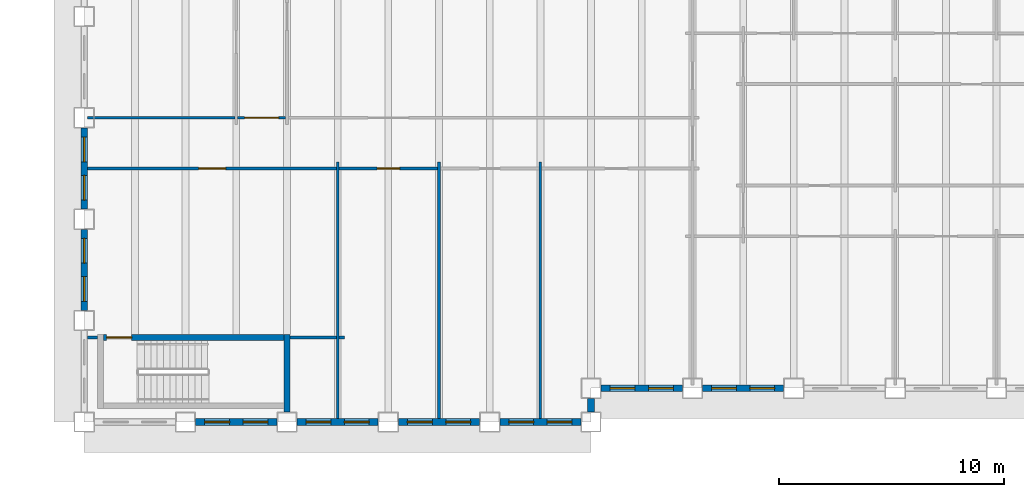
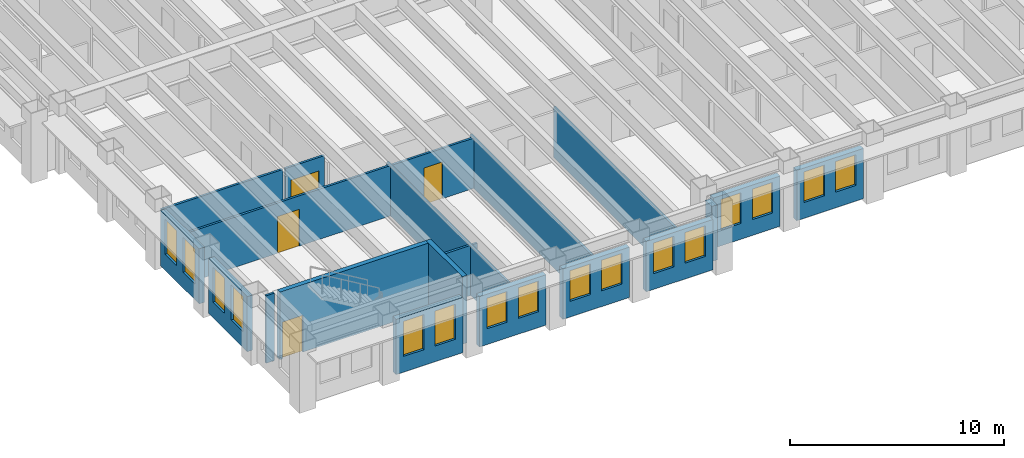
# One storey, part 3 of 16: 21 walls, 16 windows, 4 doors, 20 openings.
"""IFC4 building model written with IfcOpenShell, lengths in metres."""

import ifcopenshell
import ifcopenshell.guid

model = None  # the IFC model being written
_history = None  # IfcOwnerHistory: only IFC2X3 demands one
_inside = {}  # id of a spatial element -> (the spatial element, [elements in it])
_under = {}  # id of a project, library or spatial element -> (it, [spatial elements below it])
_declared = {}  # id of a project -> (the project, [libraries it declares])
_typed = {}  # id of a type object -> (the type object, [elements of that type])
_made_of = {}  # id of a material, layer set ... -> (it, [elements and type objects made of it])


def new_model(schema):
    """Start an empty IFC model of exactly this schema.

    Asked for "IFC4X3", IfcOpenShell would pick the latest addendum, in which some entities
    have other attributes; the version numbers below select the first issue.
    IFC2X3 requires an IfcOwnerHistory on every rooted entity: one is made here for all.
    """
    global model, _history
    if schema == "IFC4X3":
        model = ifcopenshell.file(schema_version=(4, 3, 0, 0))
    else:
        model = ifcopenshell.file(schema=schema)
    _inside.clear()
    _under.clear()
    _declared.clear()
    _typed.clear()
    _made_of.clear()
    _history = None
    if model.schema == "IFC2X3":
        org = make("IfcOrganization", Name="unknown")
        user = make(
            "IfcPersonAndOrganization",
            ThePerson=make("IfcPerson", FamilyName="unknown"),
            TheOrganization=org,
        )
        app = make(
            "IfcApplication",
            ApplicationDeveloper=org,
            Version="unknown",
            ApplicationFullName="unknown",
            ApplicationIdentifier="unknown",
        )
        _history = make(
            "IfcOwnerHistory",
            OwningUser=user,
            OwningApplication=app,
            ChangeAction="ADDED",
            CreationDate=0,
        )
    return model


def make(cls, **values):
    """One entity of the class cls with the attributes given. An attribute that is None is left unset."""
    return model.create_entity(
        cls, **{name: value for name, value in values.items() if value is not None}
    )


def rooted(cls, **values):
    """An entity with a GlobalId (a new one), such as an element, a storey or a relation."""
    return make(cls, GlobalId=ifcopenshell.guid.new(), OwnerHistory=_history, **values)


def si_unit(unit_type, name, prefix=None):
    """IfcSIUnit, for example si_unit("LENGTHUNIT", "METRE", prefix="MILLI")."""
    return make("IfcSIUnit", UnitType=unit_type, Prefix=prefix, Name=name)


def assignment(units):
    """IfcUnitAssignment: the units of a project."""
    return None if units is None else make("IfcUnitAssignment", Units=units)


def point(xyz):
    """IfcCartesianPoint."""
    return None if xyz is None else make("IfcCartesianPoint", Coordinates=xyz)


def direction(xyz):
    """IfcDirection."""
    return None if xyz is None else make("IfcDirection", DirectionRatios=xyz)


def frame(location, z_axis=None, x_axis=None):
    """IfcAxis2Placement3D, a coordinate frame: its origin and axes. An axis left out is left unset."""
    return make(
        "IfcAxis2Placement3D",
        Location=point(location),
        Axis=direction(z_axis),
        RefDirection=direction(x_axis),
    )


def frame_2d(location, x_axis=None):
    """IfcAxis2Placement2D, a coordinate frame in the plane: its origin and x axis."""
    return make(
        "IfcAxis2Placement2D", Location=point(location), RefDirection=direction(x_axis)
    )


def origin():
    """The frame at (0, 0, 0) with its axes left unset."""
    return frame((0.0, 0.0, 0.0))


def place(relative_to, where):
    """IfcLocalPlacement: puts the frame where relative to a parent placement (None: the world)."""
    return make(
        "IfcLocalPlacement", PlacementRelTo=relative_to, RelativePlacement=where
    )


def context(
    kind, dimensions, precision=None, world=None, true_north=None, identifier=None
):
    """IfcGeometricRepresentationContext, for example the 3D "Model" context."""
    return make(
        "IfcGeometricRepresentationContext",
        ContextIdentifier=identifier,
        ContextType=kind,
        CoordinateSpaceDimension=dimensions,
        Precision=precision,
        WorldCoordinateSystem=world,
        TrueNorth=true_north,
    )


def subcontext(parent, identifier, kind, view, scale=None):
    """IfcGeometricRepresentationSubContext, for example "Body" below "Model"."""
    return make(
        "IfcGeometricRepresentationSubContext",
        ContextIdentifier=identifier,
        ContextType=kind,
        ParentContext=parent,
        TargetScale=scale,
        TargetView=view,
    )


def project(units=None, contexts=None):
    """IfcProject with its units and contexts."""
    return rooted(
        "IfcProject",
        Name="project",
        RepresentationContexts=contexts,
        UnitsInContext=assignment(units),
    )


def spatial(cls, under=None, at=None, **own):
    """A site, building, storey or space (cls), placed at a placement, below another one or the project."""
    s = rooted(cls, ObjectPlacement=at, **own)
    if under is not None:
        _under.setdefault(under.id(), (under, []))[1].append(s)
    return s


def profile(cls, at=None, kind="AREA", **sizes):
    """A parametric profile (cls). Its sizes go by their IFC names, for example OverallWidth=200.0."""
    return make(cls, ProfileType=kind, Position=at, **sizes)


def rectangle(**sizes):
    """IfcRectangleProfileDef."""
    return profile("IfcRectangleProfileDef", **sizes)


def extrude(swept, where, along, depth):
    """IfcExtrudedAreaSolid: the profile swept, set in the frame where, extruded along a direction by depth."""
    return make(
        "IfcExtrudedAreaSolid",
        SweptArea=swept,
        Position=where,
        ExtrudedDirection=direction(along),
        Depth=depth,
    )


def shape(context_of_items, identifier, shape_type, items):
    """IfcShapeRepresentation: the items that make up one representation, for example the "Body"."""
    return make(
        "IfcShapeRepresentation",
        ContextOfItems=context_of_items,
        RepresentationIdentifier=identifier,
        RepresentationType=shape_type,
        Items=items,
    )


def material(Name=None, Category=None):
    """IfcMaterial."""
    return make("IfcMaterial", Name=Name, Category=Category)


def layer(
    of_material, thickness, ventilated=None, Name=None, Category=None, Priority=None
):
    """IfcMaterialLayer: one layer of a wall or slab, of a material (None: an air gap)."""
    return make(
        "IfcMaterialLayer",
        Material=of_material,
        LayerThickness=thickness,
        IsVentilated=ventilated,
        Name=Name,
        Category=Category,
        Priority=Priority,
    )


def layer_set(layers, Name=None):
    """IfcMaterialLayerSet."""
    return make("IfcMaterialLayerSet", MaterialLayers=layers, LayerSetName=Name)


def made_of(thing, what):
    """Note that an element or type object is made of a material, layer set ...; save() writes the relation."""
    if what is not None:
        _made_of.setdefault(what.id(), (what, []))[1].append(thing)
    return thing


def type_object(cls, material=None, **own):
    """A type object (cls), such as IfcWallType, which elements share."""
    return made_of(rooted(cls, **own), material)


def element(
    cls,
    number,
    at=None,
    inside=None,
    cuts=None,
    type_object=None,
    material=None,
    context=None,
    identifier="Body",
    shape_type=None,
    held_by="IfcProductDefinitionShape",
    body=None,
    shapes=None,
    **own,
):
    """One element of the class cls, such as IfcWall. Its Tag is "e" and its number.

    at: its placement. inside: the storey or other place that contains it. cuts: it is an
    opening in that element (IfcRelVoidsElement). A single representation is given by context,
    identifier, shape_type and body (its items); several are given by shapes. held_by: the class
    of the entity that holds the representations. save() writes the other relations.
    """
    e = rooted(cls, Tag="e%d" % number, ObjectPlacement=at, **own)
    if body is not None:
        shapes = [shape(context, identifier, shape_type, body)]
    if shapes is not None:
        e.Representation = make(held_by, Representations=shapes)
    if inside is not None:
        _inside.setdefault(inside.id(), (inside, []))[1].append(e)
    if cuts is not None:
        rooted(
            "IfcRelVoidsElement", RelatingBuildingElement=cuts, RelatedOpeningElement=e
        )
    if type_object is not None:
        _typed.setdefault(type_object.id(), (type_object, []))[1].append(e)
    return made_of(e, material)


def fill(opening, filler):
    """IfcRelFillsElement: the door or window that sits in an opening."""
    return rooted(
        "IfcRelFillsElement",
        RelatingOpeningElement=opening,
        RelatedBuildingElement=filler,
    )


def aggregate(whole, parts):
    """IfcRelAggregates: a whole, such as a stair, and the parts it consists of."""
    return rooted("IfcRelAggregates", RelatingObject=whole, RelatedObjects=parts)


def save(model, path):
    """Write the relations noted so far, then the file.

    IfcRelAggregates (storeys below a building ...), IfcRelContainedInSpatialStructure (elements
    in a storey), IfcRelDefinesByType, IfcRelAssociatesMaterial and IfcRelDeclares: one each for
    every whole, place, type object, material and project.
    """
    for whole, parts in _under.values():
        aggregate(whole, parts)
    for where, things in _inside.values():
        rooted(
            "IfcRelContainedInSpatialStructure",
            RelatedElements=things,
            RelatingStructure=where,
        )
    for kind, things in _typed.values():
        rooted("IfcRelDefinesByType", RelatedObjects=things, RelatingType=kind)
    for what, things in _made_of.values():
        rooted("IfcRelAssociatesMaterial", RelatedObjects=things, RelatingMaterial=what)
    for by, libraries in _declared.values():
        rooted("IfcRelDeclares", RelatingContext=by, RelatedDefinitions=libraries)
    model.write(path)


model = new_model("IFC4")

# Units and contexts
model_context = context("Model", 3, precision=1e-05, world=origin(), true_north=direction((0.0, 1.0)))
body_context = subcontext(model_context, "Body", "Model", "MODEL_VIEW")
ifc_project = project(units=[si_unit("LENGTHUNIT", "METRE"), si_unit("AREAUNIT", "SQUARE_METRE"), si_unit("VOLUMEUNIT", "CUBIC_METRE"), si_unit("PLANEANGLEUNIT", "RADIAN"), si_unit("MASSUNIT", "GRAM", prefix="KILO")], contexts=[model_context])

# Site, building, storey
site_placement = place(None, origin())
site = spatial("IfcSite", under=ifc_project, at=site_placement, CompositionType="ELEMENT")
building_placement = place(site_placement, origin())
building = spatial("IfcBuilding", under=site, at=building_placement, Name="Sennacour Bend Tower", CompositionType="ELEMENT")
storey_placement = place(building_placement, frame((0.0, 0.0, 175.0)))
storey = spatial("IfcBuildingStorey", under=building, at=storey_placement, Name="L40", CompositionType="ELEMENT", Elevation=175.0)

# Walls
ifc_material_1 = material(Name="Plasterboard partition on steel studs", Category="steel")
ifc_layer_1 = layer(ifc_material_1, 0.1201171875, Name="Plasterboard partition on steel studs", Category="steel")
ifc_layer_set_1 = layer_set([ifc_layer_1], Name="Plasterboard partition on steel studs")
wall_type_1 = type_object("IfcWallType", Name="Partition 120", PredefinedType="PARTITIONING", material=ifc_layer_set_1)
for number, where, z_axis, x_axis, name in (
    (1, (11.25, 0.14990234375, 0.0), (0.0, 0.0, 1.0), (0.0, 1.0, 0.0), "P-L40-W015a"),
    (2, (15.75, 0.14990234375, 0.0), (0.0, 0.0, 1.0), (0.0, 1.0, 0.0), "P-L40-W020a"),
    (3, (20.25, 0.14990234375, 0.0), (0.0, 0.0, 1.0), (0.0, 1.0, 0.0), "P-L40-W025a"),
):
    element("IfcWall", number, at=place(storey_placement, frame(where, z_axis=z_axis, x_axis=x_axis)), inside=storey, type_object=wall_type_1, Name=name, PredefinedType="PARTITIONING", context=body_context, shape_type="SweptSolid", body=[
        extrude(rectangle(XDim=11.400146484375, YDim=0.1201171875, at=frame_2d((5.7001953125, 0.0))), origin(), (0.0, 0.0, 1.0), 2.8701171875),
    ])
wall_1_placement = place(storey_placement, frame((0.14990234375, 3.75, 0.0), z_axis=(0.0, 0.0, 1.0), x_axis=(1.0, 0.0, 0.0)))
element("IfcWall", 4, at=wall_1_placement, inside=storey, type_object=wall_type_1, Name="P-L40-W054a", PredefinedType="PARTITIONING", context=body_context, shape_type="SweptSolid", body=[
    extrude(rectangle(XDim=0.4501953125, YDim=0.1201171875, at=frame_2d((0.22509765625, 0.0))), origin(), (0.0, 0.0, 1.0), 3.85009765625),
])
wall_2_placement = place(storey_placement, frame((9.125, 3.75, 0.0), z_axis=(0.0, 0.0, 1.0), x_axis=(1.0, 0.0, 0.0)))
element("IfcWall", 5, at=wall_2_placement, inside=storey, type_object=wall_type_1, Name="P-L40-W056aa", PredefinedType="PARTITIONING", context=body_context, shape_type="SweptSolid", body=[
    extrude(rectangle(XDim=2.06494140625, YDim=0.1201171875, at=frame_2d((1.032470703125, 0.0))), origin(), (0.0, 0.0, 1.0), 2.8701171875),
])
wall_3_placement = place(storey_placement, frame((11.31005859375, 3.75, 0.0), z_axis=(0.0, 0.0, 1.0), x_axis=(1.0, 0.0, 0.0)))
element("IfcWall", 6, at=wall_3_placement, inside=storey, type_object=wall_type_1, Name="P-L40-W056ab", PredefinedType="PARTITIONING", context=body_context, shape_type="SweptSolid", body=[
    extrude(rectangle(XDim=0.239990234375, YDim=0.1201171875, at=frame_2d((0.1201171875, 0.0))), origin(), (0.0, 0.0, 1.0), 2.8701171875),
])

# Wall, opening, door
wall_4_placement = place(storey_placement, frame((11.31005859375, 11.25, 0.0), z_axis=(0.0, 0.0, 1.0), x_axis=(1.0, 0.0, 0.0)))
wall_4 = element("IfcWall", 7, at=wall_4_placement, inside=storey, type_object=wall_type_1, Name="P-L40-W064ab", PredefinedType="PARTITIONING", context=body_context, shape_type="SweptSolid", body=[
    extrude(rectangle(XDim=4.3798828125, YDim=0.1201171875, at=frame_2d((2.18994140625, 0.0))), origin(), (0.0, 0.0, 1.0), 2.8701171875),
])
opening_1_placement = place(wall_4_placement, frame((1.68994140625, 0.0, 0.0)))
opening_1 = element("IfcOpeningElement", 8, at=opening_1_placement, cuts=wall_4, Name="Opening OD2", PredefinedType="OPENING", context=body_context, shape_type="SweptSolid", body=[
    extrude(rectangle(XDim=1.0, YDim=2.10009765625, at=frame_2d((0.5, 1.050048828125))), frame((0.0, 0.070068359375, 0.0), z_axis=(0.0, -1.0, 0.0), x_axis=(1.0, 0.0, 0.0)), (0.0, 0.0, 1.0), 0.14013671875),
])
ifc_material_2 = material(Name="Timber", Category="wood")
door_type_1 = type_object("IfcDoorType", Name="DR-OFFICE-1000", OperationType="NOTDEFINED", PredefinedType="DOOR", material=ifc_material_2)
door_1_placement = place(opening_1_placement, origin())
door_1 = element("IfcDoor", 9, at=door_1_placement, inside=storey, type_object=door_type_1, Name="Door", OperationType="SINGLE_SWING_LEFT", OverallHeight=2.10009765625, OverallWidth=1.0, PredefinedType="DOOR", context=body_context, shape_type="SweptSolid", body=[
    extrude(rectangle(XDim=1.0, YDim=2.10009765625, at=frame_2d((0.5, 1.050048828125))), frame((0.0, 0.02490234375, 0.0), z_axis=(0.0, -1.0, 0.0), x_axis=(1.0, 0.0, 0.0)), (0.0, 0.0, 1.0), 0.050048828125),
])
fill(opening_1, door_1)

# Wall
wall_5_placement = place(storey_placement, frame((0.14990234375, 13.5, 0.0), z_axis=(0.0, 0.0, 1.0), x_axis=(1.0, 0.0, 0.0)))
element("IfcWall", 10, at=wall_5_placement, inside=storey, type_object=wall_type_1, Name="P-L40-W068aa", PredefinedType="PARTITIONING", context=body_context, shape_type="SweptSolid", body=[
    extrude(rectangle(XDim=6.5400390625, YDim=0.1201171875, at=frame_2d((3.27001953125, 0.0))), origin(), (0.0, 0.0, 1.0), 2.8701171875),
])

# Wall, opening, door
ifc_layer_2 = layer(ifc_material_1, 0.1201171875, Name="Plasterboard partition on steel studs", Category="steel")
ifc_layer_set_2 = layer_set([ifc_layer_2], Name="Plasterboard partition on steel studs")
wall_type_2 = type_object("IfcWallType", Name="Partition 120 EI 30", PredefinedType="PARTITIONING", material=ifc_layer_set_2)
wall_6_placement = place(storey_placement, frame((0.14990234375, 11.25, 0.0), z_axis=(0.0, 0.0, 1.0), x_axis=(1.0, 0.0, 0.0)))
wall_6 = element("IfcWall", 11, at=wall_6_placement, inside=storey, type_object=wall_type_2, Name="P-L40-W064aa", PredefinedType="PARTITIONING", context=body_context, shape_type="SweptSolid", body=[
    extrude(rectangle(XDim=11.0400390625, YDim=0.1201171875, at=frame_2d((5.52001953125, 0.0))), origin(), (0.0, 0.0, 1.0), 2.8701171875),
])
opening_2_placement = place(wall_6_placement, frame((4.93017578125, 0.0, 0.0)))
opening_2 = element("IfcOpeningElement", 12, at=opening_2_placement, cuts=wall_6, Name="Opening KD2", PredefinedType="OPENING", context=body_context, shape_type="SweptSolid", body=[
    extrude(rectangle(XDim=1.199951171875, YDim=2.10009765625, at=frame_2d((0.60009765625, 1.050048828125))), frame((0.0, 0.070068359375, 0.0), z_axis=(0.0, -1.0, 0.0), x_axis=(1.0, 0.0, 0.0)), (0.0, 0.0, 1.0), 0.14013671875),
])
ifc_material_3 = material(Name="Painted steel", Category="steel")
door_type_2 = type_object("IfcDoorType", Name="DR-CORRIDOR-1200", OperationType="NOTDEFINED", PredefinedType="DOOR", material=ifc_material_3)
door_2_placement = place(opening_2_placement, origin())
door_2 = element("IfcDoor", 13, at=door_2_placement, inside=storey, type_object=door_type_2, Name="Door", OperationType="SINGLE_SWING_LEFT", OverallHeight=2.10009765625, OverallWidth=1.199951171875, PredefinedType="DOOR", context=body_context, shape_type="SweptSolid", body=[
    extrude(rectangle(XDim=1.199951171875, YDim=2.10009765625, at=frame_2d((0.60009765625, 1.050048828125))), frame((0.0, 0.02490234375, 0.0), z_axis=(0.0, -1.0, 0.0), x_axis=(1.0, 0.0, 0.0)), (0.0, 0.0, 1.0), 0.050048828125),
])
fill(opening_2, door_2)

wall_7_placement = place(storey_placement, frame((6.81005859375, 13.5, 0.0), z_axis=(0.0, 0.0, 1.0), x_axis=(1.0, 0.0, 0.0)))
wall_7 = element("IfcWall", 14, at=wall_7_placement, inside=storey, type_object=wall_type_2, Name="P-L40-W068ab", PredefinedType="PARTITIONING", context=body_context, shape_type="SweptSolid", body=[
    extrude(rectangle(XDim=2.1298828125, YDim=0.1201171875, at=frame_2d((1.06494140625, 0.0))), origin(), (0.0, 0.0, 1.0), 2.8701171875),
])
opening_3_placement = place(wall_7_placement, frame((0.31494140625, 0.0, 0.0)))
opening_3 = element("IfcOpeningElement", 15, at=opening_3_placement, cuts=wall_7, Name="Opening KD", PredefinedType="OPENING", context=body_context, shape_type="SweptSolid", body=[
    extrude(rectangle(XDim=1.5, YDim=2.10009765625, at=frame_2d((0.75, 1.050048828125))), frame((0.0, 0.070068359375, 0.0), z_axis=(0.0, -1.0, 0.0), x_axis=(1.0, 0.0, 0.0)), (0.0, 0.0, 1.0), 0.14013671875),
])
door_type_3 = type_object("IfcDoorType", Name="DR-CORRIDOR-1500", OperationType="NOTDEFINED", PredefinedType="DOOR", material=ifc_material_3)
door_3_placement = place(opening_3_placement, origin())
door_3 = element("IfcDoor", 16, at=door_3_placement, inside=storey, type_object=door_type_3, Name="Door", OperationType="SINGLE_SWING_LEFT", OverallHeight=2.10009765625, OverallWidth=1.5, PredefinedType="DOOR", context=body_context, shape_type="SweptSolid", body=[
    extrude(rectangle(XDim=1.5, YDim=2.10009765625, at=frame_2d((0.75, 1.050048828125))), frame((0.0, 0.02490234375, 0.0), z_axis=(0.0, -1.0, 0.0), x_axis=(1.0, 0.0, 0.0)), (0.0, 0.0, 1.0), 0.050048828125),
])
fill(opening_3, door_3)

# Wall, openings, windows
ifc_material_4 = material(Name="Warm limestone cladding", Category="masonry")
ifc_layer_3 = layer(ifc_material_4, 0.050048828125, Name="Warm limestone cladding", Category="masonry")
ifc_material_5 = material(Name="Precast concrete C40/50", Category="concrete")
ifc_layer_4 = layer(ifc_material_5, 0.25, Name="Precast concrete C40/50", Category="concrete")
ifc_layer_set_3 = layer_set([ifc_layer_3, ifc_layer_4], Name="Precast concrete C40/50 with limestone cladding")
wall_type_3 = type_object("IfcWallType", Name="STONE-CLAD PRECAST SPANDREL 300", PredefinedType="STANDARD", material=ifc_layer_set_3)
wall_8_placement = place(storey_placement, frame((4.949951171875, 0.0, 0.0), z_axis=(0.0, 0.0, 1.0), x_axis=(1.0, 0.0, 0.0)))
wall_8 = element("IfcWall", 17, at=wall_8_placement, inside=storey, type_object=wall_type_3, Name="Stone spandrel and pier wall L40 00.01", PredefinedType="STANDARD", context=body_context, shape_type="SweptSolid", body=[
    extrude(rectangle(XDim=3.60009765625, YDim=0.300048828125, at=frame_2d((1.800048828125, 0.0))), origin(), (0.0, 0.0, 1.0), 3.14892578125),
])
opening_4_placement = place(wall_8_placement, frame((0.39990234375, 0.0, 0.89990234375)))
opening_4 = element("IfcOpeningElement", 18, at=opening_4_placement, cuts=wall_8, Name="Opening W19", PredefinedType="OPENING", context=body_context, shape_type="SweptSolid", body=[
    extrude(rectangle(XDim=1.10009765625, YDim=2.0, at=frame_2d((0.550048828125, 1.0))), frame((0.0, 0.16015625, 0.0), z_axis=(0.0, -1.0, 0.0), x_axis=(1.0, 0.0, 0.0)), (0.0, 0.0, 1.0), 0.320068359375),
])
opening_5_placement = place(wall_8_placement, frame((2.10009765625, 0.0, 0.89990234375)))
opening_5 = element("IfcOpeningElement", 19, at=opening_5_placement, cuts=wall_8, Name="Opening W19", PredefinedType="OPENING", context=body_context, shape_type="SweptSolid", body=[
    extrude(rectangle(XDim=1.10009765625, YDim=2.0, at=frame_2d((0.550048828125, 1.0))), frame((0.0, 0.16015625, 0.0), z_axis=(0.0, -1.0, 0.0), x_axis=(1.0, 0.0, 0.0)), (0.0, 0.0, 1.0), 0.320068359375),
])
ifc_material_6 = material(Name="Clear low-emissivity glass", Category="glass")
window_type_1 = type_object("IfcWindowType", Name="WIN-RIBBON-1100x2000", PartitioningType="SINGLE_PANEL", PredefinedType="WINDOW", material=ifc_material_6)
window_1_placement = place(opening_4_placement, origin())
window_1 = element("IfcWindow", 20, at=window_1_placement, inside=storey, type_object=window_type_1, Name="Ribbon window L40 00.01.0", OverallHeight=2.0, OverallWidth=1.10009765625, PartitioningType="SINGLE_PANEL", PredefinedType="WINDOW", context=body_context, shape_type="SweptSolid", body=[
    extrude(rectangle(XDim=1.10009765625, YDim=2.0, at=frame_2d((0.550048828125, 1.0))), frame((0.0, 0.030029296875, 0.0), z_axis=(0.0, -1.0, 0.0), x_axis=(1.0, 0.0, 0.0)), (0.0, 0.0, 1.0), 0.06005859375),
])
fill(opening_4, window_1)
window_2_placement = place(opening_5_placement, origin())
window_2 = element("IfcWindow", 21, at=window_2_placement, inside=storey, type_object=window_type_1, Name="Ribbon window L40 00.01.1", OverallHeight=2.0, OverallWidth=1.10009765625, PartitioningType="SINGLE_PANEL", PredefinedType="WINDOW", context=body_context, shape_type="SweptSolid", body=[
    extrude(rectangle(XDim=1.10009765625, YDim=2.0, at=frame_2d((0.550048828125, 1.0))), frame((0.0, 0.030029296875, 0.0), z_axis=(0.0, -1.0, 0.0), x_axis=(1.0, 0.0, 0.0)), (0.0, 0.0, 1.0), 0.06005859375),
])
fill(opening_5, window_2)

wall_9_placement = place(storey_placement, frame((9.449951171875, 0.0, 0.0), z_axis=(0.0, 0.0, 1.0), x_axis=(1.0, 0.0, 0.0)))
wall_9 = element("IfcWall", 22, at=wall_9_placement, inside=storey, type_object=wall_type_3, Name="Stone spandrel and pier wall L40 00.02", PredefinedType="STANDARD", context=body_context, shape_type="SweptSolid", body=[
    extrude(rectangle(XDim=3.60009765625, YDim=0.300048828125, at=frame_2d((1.800048828125, 0.0))), origin(), (0.0, 0.0, 1.0), 2.8701171875),
])
opening_6_placement = place(wall_9_placement, frame((0.39990234375, 0.0, 0.89990234375)))
opening_6 = element("IfcOpeningElement", 23, at=opening_6_placement, cuts=wall_9, Name="Opening W17", PredefinedType="OPENING", context=body_context, shape_type="SweptSolid", body=[
    extrude(rectangle(XDim=1.10009765625, YDim=1.75, at=frame_2d((0.550048828125, 0.875))), frame((0.0, 0.16015625, 0.0), z_axis=(0.0, -1.0, 0.0), x_axis=(1.0, 0.0, 0.0)), (0.0, 0.0, 1.0), 0.320068359375),
])
opening_7_placement = place(wall_9_placement, frame((2.10009765625, 0.0, 0.89990234375)))
opening_7 = element("IfcOpeningElement", 24, at=opening_7_placement, cuts=wall_9, Name="Opening W17", PredefinedType="OPENING", context=body_context, shape_type="SweptSolid", body=[
    extrude(rectangle(XDim=1.10009765625, YDim=1.75, at=frame_2d((0.550048828125, 0.875))), frame((0.0, 0.16015625, 0.0), z_axis=(0.0, -1.0, 0.0), x_axis=(1.0, 0.0, 0.0)), (0.0, 0.0, 1.0), 0.320068359375),
])
window_type_2 = type_object("IfcWindowType", Name="WIN-RIBBON-1100x1750", PartitioningType="SINGLE_PANEL", PredefinedType="WINDOW", material=ifc_material_6)
window_3_placement = place(opening_6_placement, origin())
window_3 = element("IfcWindow", 25, at=window_3_placement, inside=storey, type_object=window_type_2, Name="Ribbon window L40 00.02.0", OverallHeight=1.75, OverallWidth=1.10009765625, PartitioningType="SINGLE_PANEL", PredefinedType="WINDOW", context=body_context, shape_type="SweptSolid", body=[
    extrude(rectangle(XDim=1.10009765625, YDim=1.75, at=frame_2d((0.550048828125, 0.875))), frame((0.0, 0.030029296875, 0.0), z_axis=(0.0, -1.0, 0.0), x_axis=(1.0, 0.0, 0.0)), (0.0, 0.0, 1.0), 0.06005859375),
])
fill(opening_6, window_3)
window_4_placement = place(opening_7_placement, origin())
window_4 = element("IfcWindow", 26, at=window_4_placement, inside=storey, type_object=window_type_2, Name="Ribbon window L40 00.02.1", OverallHeight=1.75, OverallWidth=1.10009765625, PartitioningType="SINGLE_PANEL", PredefinedType="WINDOW", context=body_context, shape_type="SweptSolid", body=[
    extrude(rectangle(XDim=1.10009765625, YDim=1.75, at=frame_2d((0.550048828125, 0.875))), frame((0.0, 0.030029296875, 0.0), z_axis=(0.0, -1.0, 0.0), x_axis=(1.0, 0.0, 0.0)), (0.0, 0.0, 1.0), 0.06005859375),
])
fill(opening_7, window_4)

wall_10_placement = place(storey_placement, frame((13.949951171875, 0.0, 0.0), z_axis=(0.0, 0.0, 1.0), x_axis=(1.0, 0.0, 0.0)))
wall_10 = element("IfcWall", 27, at=wall_10_placement, inside=storey, type_object=wall_type_3, Name="Stone spandrel and pier wall L40 00.03", PredefinedType="STANDARD", context=body_context, shape_type="SweptSolid", body=[
    extrude(rectangle(XDim=3.60009765625, YDim=0.300048828125, at=frame_2d((1.800048828125, 0.0))), origin(), (0.0, 0.0, 1.0), 2.8701171875),
])
opening_8_placement = place(wall_10_placement, frame((0.39990234375, 0.0, 0.89990234375)))
opening_8 = element("IfcOpeningElement", 28, at=opening_8_placement, cuts=wall_10, Name="Opening W17", PredefinedType="OPENING", context=body_context, shape_type="SweptSolid", body=[
    extrude(rectangle(XDim=1.10009765625, YDim=1.75, at=frame_2d((0.550048828125, 0.875))), frame((0.0, 0.16015625, 0.0), z_axis=(0.0, -1.0, 0.0), x_axis=(1.0, 0.0, 0.0)), (0.0, 0.0, 1.0), 0.320068359375),
])
opening_9_placement = place(wall_10_placement, frame((2.10009765625, 0.0, 0.89990234375)))
opening_9 = element("IfcOpeningElement", 29, at=opening_9_placement, cuts=wall_10, Name="Opening W17", PredefinedType="OPENING", context=body_context, shape_type="SweptSolid", body=[
    extrude(rectangle(XDim=1.10009765625, YDim=1.75, at=frame_2d((0.550048828125, 0.875))), frame((0.0, 0.16015625, 0.0), z_axis=(0.0, -1.0, 0.0), x_axis=(1.0, 0.0, 0.0)), (0.0, 0.0, 1.0), 0.320068359375),
])
window_5_placement = place(opening_8_placement, origin())
window_5 = element("IfcWindow", 30, at=window_5_placement, inside=storey, type_object=window_type_2, Name="Ribbon window L40 00.03.0", OverallHeight=1.75, OverallWidth=1.10009765625, PartitioningType="SINGLE_PANEL", PredefinedType="WINDOW", context=body_context, shape_type="SweptSolid", body=[
    extrude(rectangle(XDim=1.10009765625, YDim=1.75, at=frame_2d((0.550048828125, 0.875))), frame((0.0, 0.030029296875, 0.0), z_axis=(0.0, -1.0, 0.0), x_axis=(1.0, 0.0, 0.0)), (0.0, 0.0, 1.0), 0.06005859375),
])
fill(opening_8, window_5)
window_6_placement = place(opening_9_placement, origin())
window_6 = element("IfcWindow", 31, at=window_6_placement, inside=storey, type_object=window_type_2, Name="Ribbon window L40 00.03.1", OverallHeight=1.75, OverallWidth=1.10009765625, PartitioningType="SINGLE_PANEL", PredefinedType="WINDOW", context=body_context, shape_type="SweptSolid", body=[
    extrude(rectangle(XDim=1.10009765625, YDim=1.75, at=frame_2d((0.550048828125, 0.875))), frame((0.0, 0.030029296875, 0.0), z_axis=(0.0, -1.0, 0.0), x_axis=(1.0, 0.0, 0.0)), (0.0, 0.0, 1.0), 0.06005859375),
])
fill(opening_9, window_6)

wall_11_placement = place(storey_placement, frame((18.449951171875, 0.0, 0.0), z_axis=(0.0, 0.0, 1.0), x_axis=(1.0, 0.0, 0.0)))
wall_11 = element("IfcWall", 32, at=wall_11_placement, inside=storey, type_object=wall_type_3, Name="Stone spandrel and pier wall L40 00.04", PredefinedType="STANDARD", context=body_context, shape_type="SweptSolid", body=[
    extrude(rectangle(XDim=3.60009765625, YDim=0.300048828125, at=frame_2d((1.800048828125, 0.0))), origin(), (0.0, 0.0, 1.0), 2.8701171875),
])
opening_10_placement = place(wall_11_placement, frame((0.39990234375, 0.0, 0.89990234375)))
opening_10 = element("IfcOpeningElement", 33, at=opening_10_placement, cuts=wall_11, Name="Opening W17", PredefinedType="OPENING", context=body_context, shape_type="SweptSolid", body=[
    extrude(rectangle(XDim=1.10009765625, YDim=1.75, at=frame_2d((0.550048828125, 0.875))), frame((0.0, 0.16015625, 0.0), z_axis=(0.0, -1.0, 0.0), x_axis=(1.0, 0.0, 0.0)), (0.0, 0.0, 1.0), 0.320068359375),
])
opening_11_placement = place(wall_11_placement, frame((2.10009765625, 0.0, 0.89990234375)))
opening_11 = element("IfcOpeningElement", 34, at=opening_11_placement, cuts=wall_11, Name="Opening W17", PredefinedType="OPENING", context=body_context, shape_type="SweptSolid", body=[
    extrude(rectangle(XDim=1.10009765625, YDim=1.75, at=frame_2d((0.550048828125, 0.875))), frame((0.0, 0.16015625, 0.0), z_axis=(0.0, -1.0, 0.0), x_axis=(1.0, 0.0, 0.0)), (0.0, 0.0, 1.0), 0.320068359375),
])
window_7_placement = place(opening_10_placement, origin())
window_7 = element("IfcWindow", 35, at=window_7_placement, inside=storey, type_object=window_type_2, Name="Ribbon window L40 00.04.0", OverallHeight=1.75, OverallWidth=1.10009765625, PartitioningType="SINGLE_PANEL", PredefinedType="WINDOW", context=body_context, shape_type="SweptSolid", body=[
    extrude(rectangle(XDim=1.10009765625, YDim=1.75, at=frame_2d((0.550048828125, 0.875))), frame((0.0, 0.030029296875, 0.0), z_axis=(0.0, -1.0, 0.0), x_axis=(1.0, 0.0, 0.0)), (0.0, 0.0, 1.0), 0.06005859375),
])
fill(opening_10, window_7)
window_8_placement = place(opening_11_placement, origin())
window_8 = element("IfcWindow", 36, at=window_8_placement, inside=storey, type_object=window_type_2, Name="Ribbon window L40 00.04.1", OverallHeight=1.75, OverallWidth=1.10009765625, PartitioningType="SINGLE_PANEL", PredefinedType="WINDOW", context=body_context, shape_type="SweptSolid", body=[
    extrude(rectangle(XDim=1.10009765625, YDim=1.75, at=frame_2d((0.550048828125, 0.875))), frame((0.0, 0.030029296875, 0.0), z_axis=(0.0, -1.0, 0.0), x_axis=(1.0, 0.0, 0.0)), (0.0, 0.0, 1.0), 0.06005859375),
])
fill(opening_11, window_8)

# Wall
wall_12_placement = place(storey_placement, frame((22.5, 0.449951171875, 0.0), z_axis=(0.0, 0.0, 1.0), x_axis=(0.0, 1.0, 0.0)))
element("IfcWall", 37, at=wall_12_placement, inside=storey, type_object=wall_type_3, Name="Stone spandrel and pier wall L40 01.00", PredefinedType="STANDARD", context=body_context, shape_type="SweptSolid", body=[
    extrude(rectangle(XDim=0.60009765625, YDim=0.300048828125, at=frame_2d((0.300048828125, 0.0))), origin(), (0.0, 0.0, 1.0), 3.14892578125),
])

# Wall, openings, windows
wall_13_placement = place(storey_placement, frame((22.949951171875, 1.5, 0.0), z_axis=(0.0, 0.0, 1.0), x_axis=(1.0, 0.0, 0.0)))
wall_13 = element("IfcWall", 38, at=wall_13_placement, inside=storey, type_object=wall_type_3, Name="Stone spandrel and pier wall L40 02.00", PredefinedType="STANDARD", context=body_context, shape_type="SweptSolid", body=[
    extrude(rectangle(XDim=3.60009765625, YDim=0.300048828125, at=frame_2d((1.800048828125, 0.0))), origin(), (0.0, 0.0, 1.0), 2.8701171875),
])
opening_12_placement = place(wall_13_placement, frame((0.39990234375, 0.0, 0.89990234375)))
opening_12 = element("IfcOpeningElement", 39, at=opening_12_placement, cuts=wall_13, Name="Opening W17", PredefinedType="OPENING", context=body_context, shape_type="SweptSolid", body=[
    extrude(rectangle(XDim=1.10009765625, YDim=1.75, at=frame_2d((0.550048828125, 0.875))), frame((0.0, 0.16015625, 0.0), z_axis=(0.0, -1.0, 0.0), x_axis=(1.0, 0.0, 0.0)), (0.0, 0.0, 1.0), 0.320068359375),
])
opening_13_placement = place(wall_13_placement, frame((2.10009765625, 0.0, 0.89990234375)))
opening_13 = element("IfcOpeningElement", 40, at=opening_13_placement, cuts=wall_13, Name="Opening W17", PredefinedType="OPENING", context=body_context, shape_type="SweptSolid", body=[
    extrude(rectangle(XDim=1.10009765625, YDim=1.75, at=frame_2d((0.550048828125, 0.875))), frame((0.0, 0.16015625, 0.0), z_axis=(0.0, -1.0, 0.0), x_axis=(1.0, 0.0, 0.0)), (0.0, 0.0, 1.0), 0.320068359375),
])
window_9_placement = place(opening_12_placement, origin())
window_9 = element("IfcWindow", 41, at=window_9_placement, inside=storey, type_object=window_type_2, Name="Ribbon window L40 02.00.0", OverallHeight=1.75, OverallWidth=1.10009765625, PartitioningType="SINGLE_PANEL", PredefinedType="WINDOW", context=body_context, shape_type="SweptSolid", body=[
    extrude(rectangle(XDim=1.10009765625, YDim=1.75, at=frame_2d((0.550048828125, 0.875))), frame((0.0, 0.030029296875, 0.0), z_axis=(0.0, -1.0, 0.0), x_axis=(1.0, 0.0, 0.0)), (0.0, 0.0, 1.0), 0.06005859375),
])
fill(opening_12, window_9)
window_10_placement = place(opening_13_placement, origin())
window_10 = element("IfcWindow", 42, at=window_10_placement, inside=storey, type_object=window_type_2, Name="Ribbon window L40 02.00.1", OverallHeight=1.75, OverallWidth=1.10009765625, PartitioningType="SINGLE_PANEL", PredefinedType="WINDOW", context=body_context, shape_type="SweptSolid", body=[
    extrude(rectangle(XDim=1.10009765625, YDim=1.75, at=frame_2d((0.550048828125, 0.875))), frame((0.0, 0.030029296875, 0.0), z_axis=(0.0, -1.0, 0.0), x_axis=(1.0, 0.0, 0.0)), (0.0, 0.0, 1.0), 0.06005859375),
])
fill(opening_13, window_10)

wall_14_placement = place(storey_placement, frame((27.449951171875, 1.5, 0.0), z_axis=(0.0, 0.0, 1.0), x_axis=(1.0, 0.0, 0.0)))
wall_14 = element("IfcWall", 43, at=wall_14_placement, inside=storey, type_object=wall_type_3, Name="Stone spandrel and pier wall L40 02.01", PredefinedType="STANDARD", context=body_context, shape_type="SweptSolid", body=[
    extrude(rectangle(XDim=3.60009765625, YDim=0.300048828125, at=frame_2d((1.800048828125, 0.0))), origin(), (0.0, 0.0, 1.0), 2.8701171875),
])
opening_14_placement = place(wall_14_placement, frame((0.39990234375, 0.0, 0.89990234375)))
opening_14 = element("IfcOpeningElement", 44, at=opening_14_placement, cuts=wall_14, Name="Opening W17", PredefinedType="OPENING", context=body_context, shape_type="SweptSolid", body=[
    extrude(rectangle(XDim=1.10009765625, YDim=1.75, at=frame_2d((0.550048828125, 0.875))), frame((0.0, 0.16015625, 0.0), z_axis=(0.0, -1.0, 0.0), x_axis=(1.0, 0.0, 0.0)), (0.0, 0.0, 1.0), 0.320068359375),
])
opening_15_placement = place(wall_14_placement, frame((2.10009765625, 0.0, 0.89990234375)))
opening_15 = element("IfcOpeningElement", 45, at=opening_15_placement, cuts=wall_14, Name="Opening W17", PredefinedType="OPENING", context=body_context, shape_type="SweptSolid", body=[
    extrude(rectangle(XDim=1.10009765625, YDim=1.75, at=frame_2d((0.550048828125, 0.875))), frame((0.0, 0.16015625, 0.0), z_axis=(0.0, -1.0, 0.0), x_axis=(1.0, 0.0, 0.0)), (0.0, 0.0, 1.0), 0.320068359375),
])
window_11_placement = place(opening_14_placement, origin())
window_11 = element("IfcWindow", 46, at=window_11_placement, inside=storey, type_object=window_type_2, Name="Ribbon window L40 02.01.0", OverallHeight=1.75, OverallWidth=1.10009765625, PartitioningType="SINGLE_PANEL", PredefinedType="WINDOW", context=body_context, shape_type="SweptSolid", body=[
    extrude(rectangle(XDim=1.10009765625, YDim=1.75, at=frame_2d((0.550048828125, 0.875))), frame((0.0, 0.030029296875, 0.0), z_axis=(0.0, -1.0, 0.0), x_axis=(1.0, 0.0, 0.0)), (0.0, 0.0, 1.0), 0.06005859375),
])
fill(opening_14, window_11)
window_12_placement = place(opening_15_placement, origin())
window_12 = element("IfcWindow", 47, at=window_12_placement, inside=storey, type_object=window_type_2, Name="Ribbon window L40 02.01.1", OverallHeight=1.75, OverallWidth=1.10009765625, PartitioningType="SINGLE_PANEL", PredefinedType="WINDOW", context=body_context, shape_type="SweptSolid", body=[
    extrude(rectangle(XDim=1.10009765625, YDim=1.75, at=frame_2d((0.550048828125, 0.875))), frame((0.0, 0.030029296875, 0.0), z_axis=(0.0, -1.0, 0.0), x_axis=(1.0, 0.0, 0.0)), (0.0, 0.0, 1.0), 0.06005859375),
])
fill(opening_15, window_12)

wall_15_placement = place(storey_placement, frame((0.0, 13.050048828125, 0.0), z_axis=(0.0, 0.0, 1.0), x_axis=(0.0, -1.0, 0.0)))
wall_15 = element("IfcWall", 48, at=wall_15_placement, inside=storey, type_object=wall_type_3, Name="Stone spandrel and pier wall L40 23.02", PredefinedType="STANDARD", context=body_context, shape_type="SweptSolid", body=[
    extrude(rectangle(XDim=3.60009765625, YDim=0.300048828125, at=frame_2d((1.800048828125, 0.0))), origin(), (0.0, 0.0, 1.0), 3.14892578125),
])
opening_16_placement = place(wall_15_placement, frame((0.39990234375, 0.0, 0.89990234375)))
opening_16 = element("IfcOpeningElement", 49, at=opening_16_placement, cuts=wall_15, Name="Opening W19", PredefinedType="OPENING", context=body_context, shape_type="SweptSolid", body=[
    extrude(rectangle(XDim=1.10009765625, YDim=2.0, at=frame_2d((0.550048828125, 1.0))), frame((0.0, 0.16015625, 0.0), z_axis=(0.0, -1.0, 0.0), x_axis=(1.0, 0.0, 0.0)), (0.0, 0.0, 1.0), 0.320068359375),
])
opening_17_placement = place(wall_15_placement, frame((2.10009765625, 0.0, 0.89990234375)))
opening_17 = element("IfcOpeningElement", 50, at=opening_17_placement, cuts=wall_15, Name="Opening W19", PredefinedType="OPENING", context=body_context, shape_type="SweptSolid", body=[
    extrude(rectangle(XDim=1.10009765625, YDim=2.0, at=frame_2d((0.550048828125, 1.0))), frame((0.0, 0.16015625, 0.0), z_axis=(0.0, -1.0, 0.0), x_axis=(1.0, 0.0, 0.0)), (0.0, 0.0, 1.0), 0.320068359375),
])
window_13_placement = place(opening_16_placement, origin())
window_13 = element("IfcWindow", 51, at=window_13_placement, inside=storey, type_object=window_type_1, Name="Ribbon window L40 23.02.0", OverallHeight=2.0, OverallWidth=1.10009765625, PartitioningType="SINGLE_PANEL", PredefinedType="WINDOW", context=body_context, shape_type="SweptSolid", body=[
    extrude(rectangle(XDim=1.10009765625, YDim=2.0, at=frame_2d((0.550048828125, 1.0))), frame((0.0, 0.030029296875, 0.0), z_axis=(0.0, -1.0, 0.0), x_axis=(1.0, 0.0, 0.0)), (0.0, 0.0, 1.0), 0.06005859375),
])
fill(opening_16, window_13)
window_14_placement = place(opening_17_placement, origin())
window_14 = element("IfcWindow", 52, at=window_14_placement, inside=storey, type_object=window_type_1, Name="Ribbon window L40 23.02.1", OverallHeight=2.0, OverallWidth=1.10009765625, PartitioningType="SINGLE_PANEL", PredefinedType="WINDOW", context=body_context, shape_type="SweptSolid", body=[
    extrude(rectangle(XDim=1.10009765625, YDim=2.0, at=frame_2d((0.550048828125, 1.0))), frame((0.0, 0.030029296875, 0.0), z_axis=(0.0, -1.0, 0.0), x_axis=(1.0, 0.0, 0.0)), (0.0, 0.0, 1.0), 0.06005859375),
])
fill(opening_17, window_14)

wall_16_placement = place(storey_placement, frame((0.0, 8.550048828125, 0.0), z_axis=(0.0, 0.0, 1.0), x_axis=(0.0, -1.0, 0.0)))
wall_16 = element("IfcWall", 53, at=wall_16_placement, inside=storey, type_object=wall_type_3, Name="Stone spandrel and pier wall L40 23.03", PredefinedType="STANDARD", context=body_context, shape_type="SweptSolid", body=[
    extrude(rectangle(XDim=3.60009765625, YDim=0.300048828125, at=frame_2d((1.800048828125, 0.0))), origin(), (0.0, 0.0, 1.0), 3.14892578125),
])
opening_18_placement = place(wall_16_placement, frame((0.39990234375, 0.0, 0.89990234375)))
opening_18 = element("IfcOpeningElement", 54, at=opening_18_placement, cuts=wall_16, Name="Opening W19", PredefinedType="OPENING", context=body_context, shape_type="SweptSolid", body=[
    extrude(rectangle(XDim=1.10009765625, YDim=2.0, at=frame_2d((0.550048828125, 1.0))), frame((0.0, 0.16015625, 0.0), z_axis=(0.0, -1.0, 0.0), x_axis=(1.0, 0.0, 0.0)), (0.0, 0.0, 1.0), 0.320068359375),
])
opening_19_placement = place(wall_16_placement, frame((2.10009765625, 0.0, 0.89990234375)))
opening_19 = element("IfcOpeningElement", 55, at=opening_19_placement, cuts=wall_16, Name="Opening W19", PredefinedType="OPENING", context=body_context, shape_type="SweptSolid", body=[
    extrude(rectangle(XDim=1.10009765625, YDim=2.0, at=frame_2d((0.550048828125, 1.0))), frame((0.0, 0.16015625, 0.0), z_axis=(0.0, -1.0, 0.0), x_axis=(1.0, 0.0, 0.0)), (0.0, 0.0, 1.0), 0.320068359375),
])
window_15_placement = place(opening_18_placement, origin())
window_15 = element("IfcWindow", 56, at=window_15_placement, inside=storey, type_object=window_type_1, Name="Ribbon window L40 23.03.0", OverallHeight=2.0, OverallWidth=1.10009765625, PartitioningType="SINGLE_PANEL", PredefinedType="WINDOW", context=body_context, shape_type="SweptSolid", body=[
    extrude(rectangle(XDim=1.10009765625, YDim=2.0, at=frame_2d((0.550048828125, 1.0))), frame((0.0, 0.030029296875, 0.0), z_axis=(0.0, -1.0, 0.0), x_axis=(1.0, 0.0, 0.0)), (0.0, 0.0, 1.0), 0.06005859375),
])
fill(opening_18, window_15)
window_16_placement = place(opening_19_placement, origin())
window_16 = element("IfcWindow", 57, at=window_16_placement, inside=storey, type_object=window_type_1, Name="Ribbon window L40 23.03.1", OverallHeight=2.0, OverallWidth=1.10009765625, PartitioningType="SINGLE_PANEL", PredefinedType="WINDOW", context=body_context, shape_type="SweptSolid", body=[
    extrude(rectangle(XDim=1.10009765625, YDim=2.0, at=frame_2d((0.550048828125, 1.0))), frame((0.0, 0.030029296875, 0.0), z_axis=(0.0, -1.0, 0.0), x_axis=(1.0, 0.0, 0.0)), (0.0, 0.0, 1.0), 0.06005859375),
])
fill(opening_19, window_16)

# Wall
ifc_material_7 = material(Name="Concrete C60/75", Category="concrete")
ifc_layer_5 = layer(ifc_material_7, 0.25, Name="Concrete C60/75", Category="concrete")
ifc_layer_set_4 = layer_set([ifc_layer_5], Name="Concrete C60/75")
wall_type_4 = type_object("IfcWallType", Name="Stair wall 250", PredefinedType="SHEAR", material=ifc_layer_set_4)
wall_17_placement = place(storey_placement, frame((9.0, 0.449951171875, 0.0), z_axis=(0.0, 0.0, 1.0), x_axis=(0.0, 1.0, 0.0)))
element("IfcWall", 58, at=wall_17_placement, inside=storey, type_object=wall_type_4, Name="P-L40-W011", PredefinedType="SHEAR", context=body_context, shape_type="SweptSolid", body=[
    extrude(rectangle(XDim=3.425048828125, YDim=0.25, at=frame_2d((1.71240234375, 0.0))), origin(), (0.0, 0.0, 1.0), 3.85009765625),
])

# Wall, opening, door
wall_18_placement = place(storey_placement, frame((0.85009765625, 3.75, 0.0), z_axis=(0.0, 0.0, 1.0), x_axis=(1.0, 0.0, 0.0)))
wall_18 = element("IfcWall", 59, at=wall_18_placement, inside=storey, type_object=wall_type_4, Name="P-L40-W055", PredefinedType="SHEAR", context=body_context, shape_type="SweptSolid", body=[
    extrude(rectangle(XDim=8.02490234375, YDim=0.25, at=frame_2d((4.012451171875, 0.0))), origin(), (0.0, 0.0, 1.0), 3.85009765625),
])
opening_20_placement = place(wall_18_placement, frame((0.14990234375, 0.0, 0.0)))
opening_20 = element("IfcOpeningElement", 60, at=opening_20_placement, cuts=wall_18, Name="Opening SD", PredefinedType="OPENING", context=body_context, shape_type="SweptSolid", body=[
    extrude(rectangle(XDim=1.10009765625, YDim=2.10009765625, at=frame_2d((0.550048828125, 1.050048828125))), frame((0.0, 0.135009765625, 0.0), z_axis=(0.0, -1.0, 0.0), x_axis=(1.0, 0.0, 0.0)), (0.0, 0.0, 1.0), 0.27001953125),
])
door_type_4 = type_object("IfcDoorType", Name="DR-STAIR-1100", OperationType="NOTDEFINED", PredefinedType="DOOR", material=ifc_material_3)
door_4_placement = place(opening_20_placement, origin())
door_4 = element("IfcDoor", 61, at=door_4_placement, inside=storey, type_object=door_type_4, Name="Door", OperationType="SINGLE_SWING_LEFT", OverallHeight=2.10009765625, OverallWidth=1.10009765625, PredefinedType="DOOR", context=body_context, shape_type="SweptSolid", body=[
    extrude(rectangle(XDim=1.10009765625, YDim=2.10009765625, at=frame_2d((0.550048828125, 1.050048828125))), frame((0.0, 0.02490234375, 0.0), z_axis=(0.0, -1.0, 0.0), x_axis=(1.0, 0.0, 0.0)), (0.0, 0.0, 1.0), 0.050048828125),
])
fill(opening_20, door_4)

save(model, "model.ifc")
